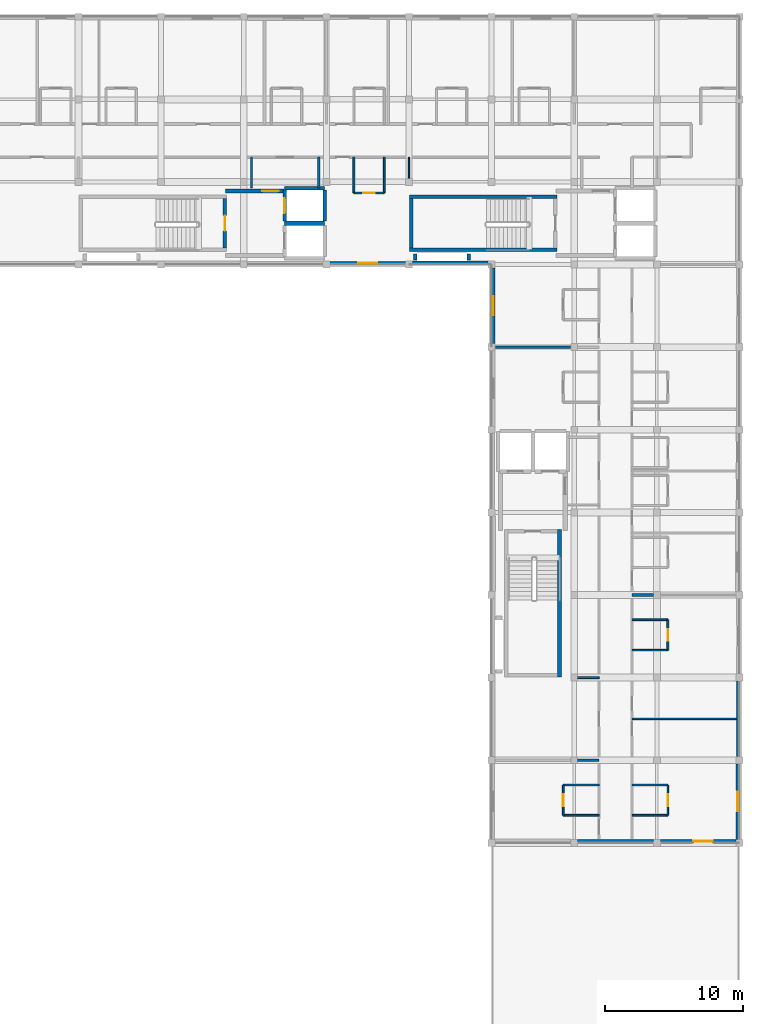
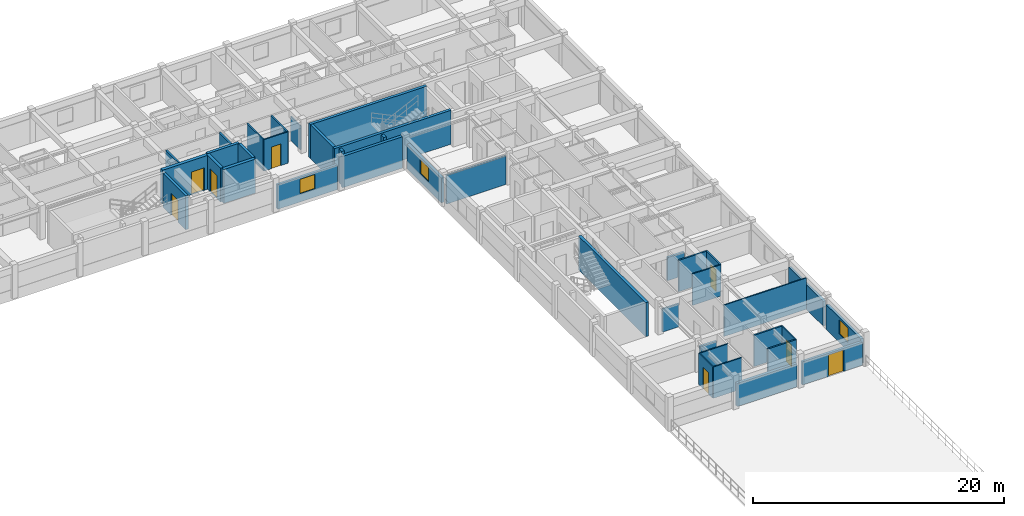
# One storey, part 4 of 14: 39 walls, 8 doors, 3 windows, 11 openings.
"""IFC4 building model written with IfcOpenShell, lengths in metres."""

from ifc_helpers import new_model, si_unit, direction, frame, frame_2d, origin, place, context, subcontext, project, spatial, rectangle, extrude, material, layer, layer_set, type_object, element, fill, save


model = new_model("IFC4")

# Units and contexts
model_context = context("Model", 3, precision=1e-05, world=origin(), true_north=direction((0.0, 1.0)))
body_context = subcontext(model_context, "Body", "Model", "MODEL_VIEW")
ifc_project = project(units=[si_unit("LENGTHUNIT", "METRE"), si_unit("AREAUNIT", "SQUARE_METRE"), si_unit("VOLUMEUNIT", "CUBIC_METRE"), si_unit("PLANEANGLEUNIT", "RADIAN"), si_unit("MASSUNIT", "GRAM", prefix="KILO"), si_unit("THERMODYNAMICTEMPERATUREUNIT", "KELVIN"), si_unit("POWERUNIT", "WATT")], contexts=[model_context])

# Site, building, storey
site_placement = place(None, origin())
site = spatial("IfcSite", under=ifc_project, at=site_placement, CompositionType="ELEMENT")
building_placement = place(site_placement, origin())
building = spatial("IfcBuilding", under=site, at=building_placement, Name="Phaisarnlok Congress Hotel", CompositionType="ELEMENT")
storey_placement = place(building_placement, frame((0.0, 0.0, 44.699951171875)))
storey = spatial("IfcBuildingStorey", under=building, at=storey_placement, Name="L11", CompositionType="ELEMENT", Elevation=44.699951171875)

# Wall, opening, window
ifc_material_1 = material(Name="Concrete C40/50", Category="concrete")
ifc_layer_1 = layer(ifc_material_1, 0.2099609375, Name="Concrete C40/50")
ifc_layer_set_1 = layer_set([ifc_layer_1], Name="Concrete C40/50")
wall_type_1 = type_object("IfcWallType", Name="WL-EXT-210", PredefinedType="SOLIDWALL", material=ifc_layer_set_1)
wall_1_placement = place(storey_placement, frame((150.2548828125, 108.10498046875, 0.0), z_axis=(0.0, 0.0, 1.0), x_axis=(1.0, 0.0, 0.0)))
wall_1 = element("IfcWall", 1, at=wall_1_placement, inside=storey, type_object=wall_type_1, Name="Exterior wall EW-07 (L11)", PredefinedType="SOLIDWALL", context=body_context, shape_type="SweptSolid", body=[
    extrude(rectangle(XDim=5.490234375, YDim=0.2099609375, at=frame_2d((2.7451171875, 0.0))), origin(), (0.0, 0.0, 1.0), 2.400146484375),
])
opening_1_placement = place(wall_1_placement, frame((2.044921875, 0.0, 0.800048828125)))
opening_1 = element("IfcOpeningElement", 2, at=opening_1_placement, cuts=wall_1, Name="Opening W-13", PredefinedType="OPENING", context=body_context, shape_type="SweptSolid", body=[
    extrude(rectangle(XDim=1.39990234375, YDim=1.39990234375, at=frame_2d((0.699951171875, 0.699951171875))), frame((0.0, 0.114990234375, 0.0), z_axis=(0.0, -1.0, 0.0), x_axis=(1.0, 0.0, 0.0)), (0.0, 0.0, 1.0), 0.22998046875),
])
ifc_material_2 = material(Name="Thermally Broken Aluminium & Low-E Double Glazing", Category="aluminium")
window_type = type_object("IfcWindowType", Name="WIN-POD-1400", PartitioningType="SINGLE_PANEL", PredefinedType="WINDOW", material=ifc_material_2)
window_1_placement = place(opening_1_placement, origin())
window_1 = element("IfcWindow", 3, at=window_1_placement, inside=storey, type_object=window_type, Name="Guestroom window W-13 (L11)", OverallHeight=1.39990234375, OverallWidth=1.39990234375, PartitioningType="SINGLE_PANEL", PredefinedType="WINDOW", context=body_context, shape_type="SweptSolid", body=[
    extrude(rectangle(XDim=1.39990234375, YDim=1.39990234375, at=frame_2d((0.699951171875, 0.699951171875))), frame((0.0, 0.030029296875, 0.0), z_axis=(0.0, -1.0, 0.0), x_axis=(1.0, 0.0, 0.0)), (0.0, 0.0, 1.0), 0.06005859375),
])
fill(opening_1, window_1)

# Wall
ifc_layer_2 = layer(ifc_material_1, 0.22998046875, Name="Concrete C40/50")
ifc_layer_set_2 = layer_set([ifc_layer_2], Name="Concrete C40/50")
wall_type_2 = type_object("IfcWallType", Name="WL-EXT-230", PredefinedType="SOLIDWALL", material=ifc_layer_set_2)
wall_2_placement = place(storey_placement, frame((179.885009765625, 72.2548828125, 0.0), z_axis=(0.0, 0.0, 1.0), x_axis=(0.0, 1.0, 0.0)))
element("IfcWall", 4, at=wall_2_placement, inside=storey, type_object=wall_type_2, Name="Exterior wall EW-06 (L11)", PredefinedType="SOLIDWALL", context=body_context, shape_type="SweptSolid", body=[
    extrude(rectangle(XDim=5.490234375, YDim=0.22998046875, at=frame_2d((2.7451171875, 0.0))), origin(), (0.0, 0.0, 1.0), 2.400146484375),
])

# Wall, opening, door
wall_3_placement = place(storey_placement, frame((174.2548828125, 66.114990234375, 0.0), z_axis=(0.0, 0.0, 1.0), x_axis=(1.0, 0.0, 0.0)))
wall_3 = element("IfcWall", 5, at=wall_3_placement, inside=storey, type_object=wall_type_2, Name="Exterior wall EW-06 (L11)", PredefinedType="SOLIDWALL", context=body_context, shape_type="SweptSolid", body=[
    extrude(rectangle(XDim=5.490234375, YDim=0.22998046875, at=frame_2d((2.7451171875, 0.0))), origin(), (0.0, 0.0, 1.0), 2.25),
])
opening_2_placement = place(wall_3_placement, frame((2.39501953125, 0.0, 0.0)))
opening_2 = element("IfcOpeningElement", 6, at=opening_2_placement, cuts=wall_3, Name="Opening TD-10", PredefinedType="OPENING", context=body_context, shape_type="SweptSolid", body=[
    extrude(rectangle(XDim=1.39990234375, YDim=2.10009765625, at=frame_2d((0.699951171875, 1.050048828125))), frame((0.0, 0.125, 0.0), z_axis=(0.0, -1.0, 0.0), x_axis=(1.0, 0.0, 0.0)), (0.0, 0.0, 1.0), 0.25),
])
ifc_material_3 = material(Name="Powder-Coated Steel & Laminated Safety Glass", Category="steel")
door_type_1 = type_object("IfcDoorType", Name="DR-TER-1400", OperationType="NOTDEFINED", PredefinedType="DOOR", material=ifc_material_3)
door_1_placement = place(opening_2_placement, frame((1.39990234375, 0.0, 0.0), z_axis=(0.0, 0.0, 1.0), x_axis=(-1.0, 0.0, 0.0)))
door_1 = element("IfcDoor", 7, at=door_1_placement, inside=storey, type_object=door_type_1, Name="Outdoor terrace door TD-10 (L11)", OperationType="SINGLE_SWING_LEFT", OverallHeight=2.10009765625, OverallWidth=1.39990234375, PredefinedType="DOOR", context=body_context, shape_type="SweptSolid", body=[
    extrude(rectangle(XDim=1.39990234375, YDim=2.10009765625, at=frame_2d((0.699951171875, 1.050048828125))), frame((0.0, 0.02490234375, 0.0), z_axis=(0.0, -1.0, 0.0), x_axis=(1.0, 0.0, 0.0)), (0.0, 0.0, 1.0), 0.050048828125),
])
fill(opening_2, door_1)

# Wall, opening, window
ifc_layer_3 = layer(ifc_material_1, 0.25, Name="Concrete C40/50")
ifc_layer_set_3 = layer_set([ifc_layer_3], Name="Concrete C40/50")
wall_type_3 = type_object("IfcWallType", Name="WL-EXT-250", PredefinedType="SOLIDWALL", material=ifc_layer_set_3)
wall_4_placement = place(storey_placement, frame((179.875, 66.2548828125, 0.0), z_axis=(0.0, 0.0, 1.0), x_axis=(0.0, 1.0, 0.0)))
wall_4 = element("IfcWall", 8, at=wall_4_placement, inside=storey, type_object=wall_type_3, Name="Exterior wall EW-05 (L11)", PredefinedType="SOLIDWALL", context=body_context, shape_type="SweptSolid", body=[
    extrude(rectangle(XDim=5.490234375, YDim=0.25, at=frame_2d((2.7451171875, 0.0))), origin(), (0.0, 0.0, 1.0), 2.400146484375),
])
opening_3_placement = place(wall_4_placement, frame((2.044921875, 0.0, 0.800048828125)))
opening_3 = element("IfcOpeningElement", 9, at=opening_3_placement, cuts=wall_4, Name="Opening W-13", PredefinedType="OPENING", context=body_context, shape_type="SweptSolid", body=[
    extrude(rectangle(XDim=1.39990234375, YDim=1.39990234375, at=frame_2d((0.699951171875, 0.699951171875))), frame((0.0, 0.135009765625, 0.0), z_axis=(0.0, -1.0, 0.0), x_axis=(1.0, 0.0, 0.0)), (0.0, 0.0, 1.0), 0.27001953125),
])
window_2_placement = place(opening_3_placement, origin())
window_2 = element("IfcWindow", 10, at=window_2_placement, inside=storey, type_object=window_type, Name="Guestroom window W-13 (L11)", OverallHeight=1.39990234375, OverallWidth=1.39990234375, PartitioningType="SINGLE_PANEL", PredefinedType="WINDOW", context=body_context, shape_type="SweptSolid", body=[
    extrude(rectangle(XDim=1.39990234375, YDim=1.39990234375, at=frame_2d((0.699951171875, 0.699951171875))), frame((0.0, 0.030029296875, 0.0), z_axis=(0.0, -1.0, 0.0), x_axis=(1.0, 0.0, 0.0)), (0.0, 0.0, 1.0), 0.06005859375),
])
fill(opening_3, window_2)

wall_5_placement = place(storey_placement, frame((162.125, 107.7451171875, 0.0), z_axis=(0.0, 0.0, 1.0), x_axis=(0.0, -1.0, 0.0)))
wall_5 = element("IfcWall", 11, at=wall_5_placement, inside=storey, type_object=wall_type_3, Name="Exterior wall EW-05 (L11)", PredefinedType="SOLIDWALL", context=body_context, shape_type="SweptSolid", body=[
    extrude(rectangle(XDim=5.490234375, YDim=0.25, at=frame_2d((2.7451171875, 0.0))), origin(), (0.0, 0.0, 1.0), 2.400146484375),
])
opening_4_placement = place(wall_5_placement, frame((2.044921875, 0.0, 0.800048828125)))
opening_4 = element("IfcOpeningElement", 12, at=opening_4_placement, cuts=wall_5, Name="Opening W-13", PredefinedType="OPENING", context=body_context, shape_type="SweptSolid", body=[
    extrude(rectangle(XDim=1.39990234375, YDim=1.39990234375, at=frame_2d((0.699951171875, 0.699951171875))), frame((0.0, 0.135009765625, 0.0), z_axis=(0.0, -1.0, 0.0), x_axis=(1.0, 0.0, 0.0)), (0.0, 0.0, 1.0), 0.27001953125),
])
window_3_placement = place(opening_4_placement, origin())
window_3 = element("IfcWindow", 13, at=window_3_placement, inside=storey, type_object=window_type, Name="Guestroom window W-13 (L11)", OverallHeight=1.39990234375, OverallWidth=1.39990234375, PartitioningType="SINGLE_PANEL", PredefinedType="WINDOW", context=body_context, shape_type="SweptSolid", body=[
    extrude(rectangle(XDim=1.39990234375, YDim=1.39990234375, at=frame_2d((0.699951171875, 0.699951171875))), frame((0.0, 0.030029296875, 0.0), z_axis=(0.0, -1.0, 0.0), x_axis=(1.0, 0.0, 0.0)), (0.0, 0.0, 1.0), 0.06005859375),
])
fill(opening_4, window_3)

# Walls
wall_6_placement = place(storey_placement, frame((168.2548828125, 66.125, 0.0), z_axis=(0.0, 0.0, 1.0), x_axis=(1.0, 0.0, 0.0)))
element("IfcWall", 14, at=wall_6_placement, inside=storey, type_object=wall_type_3, Name="Exterior wall EW-05 (L11)", PredefinedType="SOLIDWALL", context=body_context, shape_type="SweptSolid", body=[
    extrude(rectangle(XDim=5.490234375, YDim=0.25, at=frame_2d((2.7451171875, 0.0))), origin(), (0.0, 0.0, 1.0), 2.25),
])
ifc_layer_4 = layer(ifc_material_1, 0.27001953125, Name="Concrete C40/50")
ifc_layer_set_4 = layer_set([ifc_layer_4], Name="Concrete C40/50")
wall_type_4 = type_object("IfcWallType", Name="WL-EXT-270", PredefinedType="SOLIDWALL", material=ifc_layer_set_4)
wall_7_placement = place(storey_placement, frame((156.2548828125, 108.135009765625, 0.0), z_axis=(0.0, 0.0, 1.0), x_axis=(1.0, 0.0, 0.0)))
element("IfcWall", 15, at=wall_7_placement, inside=storey, type_object=wall_type_4, Name="Exterior wall EW-04 (L11)", PredefinedType="SOLIDWALL", context=body_context, shape_type="SweptSolid", body=[
    extrude(rectangle(XDim=5.490234375, YDim=0.27001953125, at=frame_2d((2.7451171875, 0.0))), origin(), (0.0, 0.0, 1.0), 3.050048828125),
])
ifc_material_4 = material(Name="Service Riser Shaftwall Partition", Category="gypsum")
ifc_layer_5 = layer(ifc_material_4, 0.10498046875, Name="Service Riser Shaftwall Partition")
ifc_layer_set_5 = layer_set([ifc_layer_5], Name="Service Riser Shaftwall Partition")
wall_type_5 = type_object("IfcWallType", Name="WL-INT-105", PredefinedType="PARTITIONING", material=ifc_layer_set_5)
wall_8_placement = place(storey_placement, frame((156.0, 114.2548828125, 0.0), z_axis=(0.0, 0.0, 1.0), x_axis=(0.0, 1.0, 0.0)))
element("IfcWall", 16, at=wall_8_placement, inside=storey, type_object=wall_type_5, Name="Interior partition wall IW-08 (L11)", PredefinedType="PARTITIONING", context=body_context, shape_type="SweptSolid", body=[
    extrude(rectangle(XDim=1.545166015625, YDim=0.10498046875, at=frame_2d((0.7724609375, 0.0))), origin(), (0.0, 0.0, 1.0), 2.35009765625),
])
wall_9_placement = place(storey_placement, frame((172.199951171875, 75.0, 0.0), z_axis=(0.0, 0.0, 1.0), x_axis=(1.0, 0.0, 0.0)))
element("IfcWall", 17, at=wall_9_placement, inside=storey, type_object=wall_type_5, Name="Interior partition wall IW-08 (L11)", PredefinedType="PARTITIONING", context=body_context, shape_type="SweptSolid", body=[
    extrude(rectangle(XDim=7.56494140625, YDim=0.10498046875, at=frame_2d((3.782470703125, 0.0))), origin(), (0.0, 0.0, 1.0), 3.050048828125),
])

# Wall, opening, door
ifc_material_5 = material(Name="Lightweight Metal-Stud Gypsum Partition", Category="gypsum")
ifc_layer_6 = layer(ifc_material_5, 0.1201171875, Name="Lightweight Metal-Stud Gypsum Partition")
ifc_layer_set_6 = layer_set([ifc_layer_6], Name="Lightweight Metal-Stud Gypsum Partition")
wall_type_6 = type_object("IfcWallType", Name="WL-INT-120", PredefinedType="PARTITIONING", material=ifc_layer_set_6)
wall_10_placement = place(storey_placement, frame((167.199951171875, 68.0, 0.0), z_axis=(0.0, 0.0, 1.0), x_axis=(0.0, 1.0, 0.0)))
wall_10 = element("IfcWall", 18, at=wall_10_placement, inside=storey, type_object=wall_type_6, Name="Interior partition wall IW-07 (L11)", PredefinedType="PARTITIONING", context=body_context, shape_type="SweptSolid", body=[
    extrude(rectangle(XDim=2.199951171875, YDim=0.1201171875, at=frame_2d((1.10009765625, 0.0))), origin(), (0.0, 0.0, 1.0), 3.050048828125),
])
opening_5_placement = place(wall_10_placement, frame((0.675048828125, 0.0, 0.0)))
opening_5 = element("IfcOpeningElement", 19, at=opening_5_placement, cuts=wall_10, Name="Opening D-0667", PredefinedType="OPENING", context=body_context, shape_type="SweptSolid", body=[
    extrude(rectangle(XDim=0.85009765625, YDim=2.10009765625, at=frame_2d((0.425048828125, 1.050048828125))), frame((0.0, 0.070068359375, 0.0), z_axis=(0.0, -1.0, 0.0), x_axis=(1.0, 0.0, 0.0)), (0.0, 0.0, 1.0), 0.14013671875),
])
ifc_material_6 = material(Name="Moisture-Resistant Lacquered Timber", Category="wood")
door_type_2 = type_object("IfcDoorType", Name="DR-BATH-850", OperationType="NOTDEFINED", PredefinedType="DOOR", material=ifc_material_6)
door_2_placement = place(opening_5_placement, origin())
door_2 = element("IfcDoor", 20, at=door_2_placement, inside=storey, type_object=door_type_2, Name="Interior door D-0667 (L11)", OperationType="SINGLE_SWING_LEFT", OverallHeight=2.10009765625, OverallWidth=0.85009765625, PredefinedType="DOOR", context=body_context, shape_type="SweptSolid", body=[
    extrude(rectangle(XDim=0.85009765625, YDim=2.10009765625, at=frame_2d((0.425048828125, 1.050048828125))), frame((0.0, 0.02490234375, 0.0), z_axis=(0.0, -1.0, 0.0), x_axis=(1.0, 0.0, 0.0)), (0.0, 0.0, 1.0), 0.050048828125),
])
fill(opening_5, door_2)

wall_11_placement = place(storey_placement, frame((174.800048828125, 68.0, 0.0), z_axis=(0.0, 0.0, 1.0), x_axis=(0.0, 1.0, 0.0)))
wall_11 = element("IfcWall", 21, at=wall_11_placement, inside=storey, type_object=wall_type_6, Name="Interior partition wall IW-07 (L11)", PredefinedType="PARTITIONING", context=body_context, shape_type="SweptSolid", body=[
    extrude(rectangle(XDim=2.199951171875, YDim=0.1201171875, at=frame_2d((1.10009765625, 0.0))), origin(), (0.0, 0.0, 1.0), 3.050048828125),
])
opening_6_placement = place(wall_11_placement, frame((0.675048828125, 0.0, 0.0)))
opening_6 = element("IfcOpeningElement", 22, at=opening_6_placement, cuts=wall_11, Name="Opening D-0654", PredefinedType="OPENING", context=body_context, shape_type="SweptSolid", body=[
    extrude(rectangle(XDim=0.85009765625, YDim=2.10009765625, at=frame_2d((0.425048828125, 1.050048828125))), frame((0.0, 0.070068359375, 0.0), z_axis=(0.0, -1.0, 0.0), x_axis=(1.0, 0.0, 0.0)), (0.0, 0.0, 1.0), 0.14013671875),
])
door_3_placement = place(opening_6_placement, origin())
door_3 = element("IfcDoor", 23, at=door_3_placement, inside=storey, type_object=door_type_2, Name="Interior door D-0654 (L11)", OperationType="SINGLE_SWING_RIGHT", OverallHeight=2.10009765625, OverallWidth=0.85009765625, PredefinedType="DOOR", context=body_context, shape_type="SweptSolid", body=[
    extrude(rectangle(XDim=0.85009765625, YDim=2.10009765625, at=frame_2d((0.425048828125, 1.050048828125))), frame((0.0, 0.02490234375, 0.0), z_axis=(0.0, -1.0, 0.0), x_axis=(1.0, 0.0, 0.0)), (0.0, 0.0, 1.0), 0.050048828125),
])
fill(opening_6, door_3)

# Walls
for number, where, z_axis, x_axis, name in (
    (24, (167.199951171875, 68.0, 0.0), (0.0, 0.0, 1.0), (1.0, 0.0, 0.0), "Interior partition wall IW-07 (L11)"),
    (25, (167.199951171875, 70.199951171875, 0.0), (0.0, 0.0, 1.0), (1.0, 0.0, 0.0), "Interior partition wall IW-07 (L11)"),
    (26, (172.199951171875, 80.0, 0.0), (0.0, 0.0, 1.0), (1.0, 0.0, 0.0), "Interior partition wall IW-07 (L11)"),
):
    element("IfcWall", number, at=place(storey_placement, frame(where, z_axis=z_axis, x_axis=x_axis)), inside=storey, type_object=wall_type_6, Name=name, PredefinedType="PARTITIONING", context=body_context, shape_type="SweptSolid", body=[
        extrude(rectangle(XDim=2.60009765625, YDim=0.1201171875, at=frame_2d((1.300048828125, 0.0))), origin(), (0.0, 0.0, 1.0), 3.050048828125),
    ])

# Wall, opening, door
wall_12_placement = place(storey_placement, frame((152.0, 113.199951171875, 0.0), z_axis=(0.0, 0.0, 1.0), x_axis=(1.0, 0.0, 0.0)))
wall_12 = element("IfcWall", 27, at=wall_12_placement, inside=storey, type_object=wall_type_6, Name="Interior partition wall IW-07 (L11)", PredefinedType="PARTITIONING", context=body_context, shape_type="SweptSolid", body=[
    extrude(rectangle(XDim=2.199951171875, YDim=0.1201171875, at=frame_2d((1.10009765625, 0.0))), origin(), (0.0, 0.0, 1.0), 3.050048828125),
])
opening_7_placement = place(wall_12_placement, frame((0.675048828125, 0.0, 0.0)))
opening_7 = element("IfcOpeningElement", 28, at=opening_7_placement, cuts=wall_12, Name="Opening D-0652", PredefinedType="OPENING", context=body_context, shape_type="SweptSolid", body=[
    extrude(rectangle(XDim=0.85009765625, YDim=2.10009765625, at=frame_2d((0.425048828125, 1.050048828125))), frame((0.0, 0.070068359375, 0.0), z_axis=(0.0, -1.0, 0.0), x_axis=(1.0, 0.0, 0.0)), (0.0, 0.0, 1.0), 0.14013671875),
])
door_4_placement = place(opening_7_placement, origin())
door_4 = element("IfcDoor", 29, at=door_4_placement, inside=storey, type_object=door_type_2, Name="Interior door D-0652 (L11)", OperationType="SINGLE_SWING_RIGHT", OverallHeight=2.10009765625, OverallWidth=0.85009765625, PredefinedType="DOOR", context=body_context, shape_type="SweptSolid", body=[
    extrude(rectangle(XDim=0.85009765625, YDim=2.10009765625, at=frame_2d((0.425048828125, 1.050048828125))), frame((0.0, 0.02490234375, 0.0), z_axis=(0.0, -1.0, 0.0), x_axis=(1.0, 0.0, 0.0)), (0.0, 0.0, 1.0), 0.050048828125),
])
fill(opening_7, door_4)

# Walls
ifc_material_7 = material(Name="Moisture-Resistant Gypsum Partition", Category="gypsum")
ifc_layer_7 = layer(ifc_material_7, 0.135009765625, Name="Moisture-Resistant Gypsum Partition")
ifc_layer_set_7 = layer_set([ifc_layer_7], Name="Moisture-Resistant Gypsum Partition")
wall_type_7 = type_object("IfcWallType", Name="WL-INT-135", PredefinedType="PARTITIONING", material=ifc_layer_set_7)
for number, where, z_axis, x_axis, name in (
    (30, (152.0, 113.199951171875, 0.0), (0.0, 0.0, 1.0), (0.0, 1.0, 0.0), "Interior partition wall IW-06 (L11)"),
    (31, (154.199951171875, 113.199951171875, 0.0), (0.0, 0.0, 1.0), (0.0, 1.0, 0.0), "Interior partition wall IW-06 (L11)"),
):
    element("IfcWall", number, at=place(storey_placement, frame(where, z_axis=z_axis, x_axis=x_axis)), inside=storey, type_object=wall_type_7, Name=name, PredefinedType="PARTITIONING", context=body_context, shape_type="SweptSolid", body=[
        extrude(rectangle(XDim=2.60009765625, YDim=0.135009765625, at=frame_2d((1.300048828125, 0.0))), origin(), (0.0, 0.0, 1.0), 3.050048828125),
    ])

# Wall, opening, door
wall_13_placement = place(storey_placement, frame((174.800048828125, 80.0, 0.0), z_axis=(0.0, 0.0, 1.0), x_axis=(0.0, 1.0, 0.0)))
wall_13 = element("IfcWall", 32, at=wall_13_placement, inside=storey, type_object=wall_type_7, Name="Interior partition wall IW-06 (L11)", PredefinedType="PARTITIONING", context=body_context, shape_type="SweptSolid", body=[
    extrude(rectangle(XDim=2.199951171875, YDim=0.135009765625, at=frame_2d((1.10009765625, 0.0))), origin(), (0.0, 0.0, 1.0), 3.050048828125),
])
opening_8_placement = place(wall_13_placement, frame((0.675048828125, 0.0, 0.0)))
opening_8 = element("IfcOpeningElement", 33, at=opening_8_placement, cuts=wall_13, Name="Opening D-0656", PredefinedType="OPENING", context=body_context, shape_type="SweptSolid", body=[
    extrude(rectangle(XDim=0.85009765625, YDim=2.10009765625, at=frame_2d((0.425048828125, 1.050048828125))), frame((0.0, 0.07763671875, 0.0), z_axis=(0.0, -1.0, 0.0), x_axis=(1.0, 0.0, 0.0)), (0.0, 0.0, 1.0), 0.155029296875),
])
door_5_placement = place(opening_8_placement, origin())
door_5 = element("IfcDoor", 34, at=door_5_placement, inside=storey, type_object=door_type_2, Name="Interior door D-0656 (L11)", OperationType="SINGLE_SWING_RIGHT", OverallHeight=2.10009765625, OverallWidth=0.85009765625, PredefinedType="DOOR", context=body_context, shape_type="SweptSolid", body=[
    extrude(rectangle(XDim=0.85009765625, YDim=2.10009765625, at=frame_2d((0.425048828125, 1.050048828125))), frame((0.0, 0.02490234375, 0.0), z_axis=(0.0, -1.0, 0.0), x_axis=(1.0, 0.0, 0.0)), (0.0, 0.0, 1.0), 0.050048828125),
])
fill(opening_8, door_5)

# Walls
for number, where, z_axis, x_axis, name in (
    (35, (172.199951171875, 68.0, 0.0), (0.0, 0.0, 1.0), (1.0, 0.0, 0.0), "Interior partition wall IW-06 (L11)"),
    (36, (172.199951171875, 70.199951171875, 0.0), (0.0, 0.0, 1.0), (1.0, 0.0, 0.0), "Interior partition wall IW-06 (L11)"),
):
    element("IfcWall", number, at=place(storey_placement, frame(where, z_axis=z_axis, x_axis=x_axis)), inside=storey, type_object=wall_type_7, Name=name, PredefinedType="PARTITIONING", context=body_context, shape_type="SweptSolid", body=[
        extrude(rectangle(XDim=2.60009765625, YDim=0.135009765625, at=frame_2d((1.300048828125, 0.0))), origin(), (0.0, 0.0, 1.0), 3.050048828125),
    ])
wall_14_placement = place(storey_placement, frame((168.2548828125, 78.0, 0.0), z_axis=(0.0, 0.0, 1.0), x_axis=(1.0, 0.0, 0.0)))
element("IfcWall", 37, at=wall_14_placement, inside=storey, type_object=wall_type_7, Name="Interior partition wall IW-06 (L11)", PredefinedType="PARTITIONING", context=body_context, shape_type="SweptSolid", body=[
    extrude(rectangle(XDim=1.545166015625, YDim=0.135009765625, at=frame_2d((0.7724609375, 0.0))), origin(), (0.0, 0.0, 1.0), 2.25),
])
wall_15_placement = place(storey_placement, frame((172.199951171875, 82.199951171875, 0.0), z_axis=(0.0, 0.0, 1.0), x_axis=(1.0, 0.0, 0.0)))
element("IfcWall", 38, at=wall_15_placement, inside=storey, type_object=wall_type_7, Name="Interior partition wall IW-06 (L11)", PredefinedType="PARTITIONING", context=body_context, shape_type="SweptSolid", body=[
    extrude(rectangle(XDim=2.60009765625, YDim=0.135009765625, at=frame_2d((1.300048828125, 0.0))), origin(), (0.0, 0.0, 1.0), 3.050048828125),
])
ifc_material_8 = material(Name="Acoustic Gypsum Board & Mineral Wool", Category="gypsum")
ifc_layer_8 = layer(ifc_material_8, 0.14990234375, Name="Acoustic Gypsum Board & Mineral Wool")
ifc_layer_set_8 = layer_set([ifc_layer_8], Name="Acoustic Gypsum Board & Mineral Wool")
wall_type_8 = type_object("IfcWallType", Name="WL-INT-150", PredefinedType="PARTITIONING", material=ifc_layer_set_8)
wall_16_placement = place(storey_placement, frame((144.550048828125, 113.56005859375, 0.0), z_axis=(0.0, 0.0, 1.0), x_axis=(0.0, 1.0, 0.0)))
element("IfcWall", 39, at=wall_16_placement, inside=storey, type_object=wall_type_8, Name="Interior partition wall IW-05 (L11)", PredefinedType="PARTITIONING", context=body_context, shape_type="SweptSolid", body=[
    extrude(rectangle(XDim=2.239990234375, YDim=0.14990234375, at=frame_2d((1.1201171875, 0.0))), origin(), (0.0, 0.0, 1.0), 3.050048828125),
])
ifc_material_9 = material(Name="Double-Stud Acoustic Gypsum Partition", Category="gypsum")
ifc_layer_9 = layer(ifc_material_9, 0.159912109375, Name="Double-Stud Acoustic Gypsum Partition")
ifc_layer_set_9 = layer_set([ifc_layer_9], Name="Double-Stud Acoustic Gypsum Partition")
wall_type_9 = type_object("IfcWallType", Name="WL-INT-160", PredefinedType="PARTITIONING", material=ifc_layer_set_9)
wall_17_placement = place(storey_placement, frame((149.449951171875, 113.56005859375, 0.0), z_axis=(0.0, 0.0, 1.0), x_axis=(0.0, 1.0, 0.0)))
element("IfcWall", 40, at=wall_17_placement, inside=storey, type_object=wall_type_9, Name="Interior partition wall IW-04 (L11)", PredefinedType="PARTITIONING", context=body_context, shape_type="SweptSolid", body=[
    extrude(rectangle(XDim=2.239990234375, YDim=0.159912109375, at=frame_2d((1.1201171875, 0.0))), origin(), (0.0, 0.0, 1.0), 3.050048828125),
])
ifc_material_10 = material(Name="Autoclaved Aerated Concrete Block", Category="concrete")
ifc_layer_10 = layer(ifc_material_10, 0.179931640625, Name="Autoclaved Aerated Concrete Block")
ifc_layer_set_10 = layer_set([ifc_layer_10], Name="Autoclaved Aerated Concrete Block")
wall_type_10 = type_object("IfcWallType", Name="WL-INT-180", PredefinedType="PARTITIONING", material=ifc_layer_set_10)
wall_18_placement = place(storey_placement, frame((162.280029296875, 102.0, 0.0), z_axis=(0.0, 0.0, 1.0), x_axis=(1.0, 0.0, 0.0)))
element("IfcWall", 41, at=wall_18_placement, inside=storey, type_object=wall_type_10, Name="Interior partition wall IW-03 (L11)", PredefinedType="PARTITIONING", context=body_context, shape_type="SweptSolid", body=[
    extrude(rectangle(XDim=5.465087890625, YDim=0.179931640625, at=frame_2d((2.732421875, 0.0))), origin(), (0.0, 0.0, 1.0), 2.760009765625),
])
ifc_layer_11 = layer(ifc_material_10, 0.199951171875, Name="Autoclaved Aerated Concrete Block")
ifc_layer_set_11 = layer_set([ifc_layer_11], Name="Autoclaved Aerated Concrete Block")
wall_type_11 = type_object("IfcWallType", Name="WL-INT-200", PredefinedType="PARTITIONING", material=ifc_layer_set_11)
for number, where, z_axis, x_axis, name in (
    (42, (168.2548828125, 72.0, 0.0), (0.0, 0.0, 1.0), (1.0, 0.0, 0.0), "Interior partition wall IW-02 (L11)"),
    (43, (172.199951171875, 84.0, 0.0), (0.0, 0.0, 1.0), (1.0, 0.0, 0.0), "Interior partition wall IW-02 (L11)"),
):
    element("IfcWall", number, at=place(storey_placement, frame(where, z_axis=z_axis, x_axis=x_axis)), inside=storey, type_object=wall_type_11, Name=name, PredefinedType="PARTITIONING", context=body_context, shape_type="SweptSolid", body=[
        extrude(rectangle(XDim=1.545166015625, YDim=0.199951171875, at=frame_2d((0.7724609375, 0.0))), origin(), (0.0, 0.0, 1.0), 2.25),
    ])
ifc_material_11 = material(Name="Concrete C50/60", Category="concrete")
ifc_layer_12 = layer(ifc_material_11, 0.260009765625, Name="Concrete C50/60")
ifc_layer_set_12 = layer_set([ifc_layer_12], Name="Concrete C50/60")
wall_type_12 = type_object("IfcWallType", Name="WL-SHR-260", PredefinedType="SHEAR", material=ifc_layer_set_12)
for number, where, z_axis, x_axis, name in (
    (44, (156.0400390625, 109.070068359375, 0.0), (0.0, 0.0, 1.0), (1.0, 0.0, 0.0), "Stair shaft shear wall SW-04 (CORE-1 L11)"),
    (45, (156.0400390625, 112.929931640625, 0.0), (0.0, 0.0, 1.0), (1.0, 0.0, 0.0), "Stair shaft shear wall SW-04 (CORE-1 L11)"),
):
    element("IfcWall", number, at=place(storey_placement, frame(where, z_axis=z_axis, x_axis=x_axis)), inside=storey, type_object=wall_type_12, Name=name, PredefinedType="SHEAR", context=body_context, shape_type="SweptSolid", body=[
        extrude(rectangle(XDim=10.719970703125, YDim=0.260009765625, at=frame_2d((5.35986328125, 0.0))), origin(), (0.0, 0.0, 1.0), 3.300048828125),
    ])
wall_19_placement = place(storey_placement, frame((156.169921875, 109.199951171875, 0.0), z_axis=(0.0, 0.0, 1.0), x_axis=(0.0, 1.0, 0.0)))
element("IfcWall", 46, at=wall_19_placement, inside=storey, type_object=wall_type_12, Name="Stair shaft shear wall SW-04 (CORE-1 L11)", PredefinedType="SHEAR", context=body_context, shape_type="SweptSolid", body=[
    extrude(rectangle(XDim=3.60009765625, YDim=0.260009765625, at=frame_2d((1.800048828125, 0.0))), origin(), (0.0, 0.0, 1.0), 3.300048828125),
])
for number, where, z_axis, x_axis, name in (
    (47, (156.469970703125, 108.330078125, 0.0), (0.0, 0.0, 1.0), (0.0, 1.0, 0.0), "Service riser shaft wall SW-04 (CORE-1 L11)"),
    (48, (160.330078125, 108.330078125, 0.0), (0.0, 0.0, 1.0), (0.0, 1.0, 0.0), "Service riser shaft wall SW-04 (CORE-1 L11)"),
):
    element("IfcWall", number, at=place(storey_placement, frame(where, z_axis=z_axis, x_axis=x_axis)), inside=storey, type_object=wall_type_12, Name=name, PredefinedType="SHEAR", context=body_context, shape_type="SweptSolid", body=[
        extrude(rectangle(XDim=0.43994140625, YDim=0.260009765625, at=frame_2d((0.219970703125, 0.0))), origin(), (0.0, 0.0, 1.0), 3.300048828125),
    ])

# Wall, opening, door
wall_20_placement = place(storey_placement, frame((142.6298828125, 109.199951171875, 0.0), z_axis=(0.0, 0.0, 1.0), x_axis=(0.0, 1.0, 0.0)))
wall_20 = element("IfcWall", 49, at=wall_20_placement, inside=storey, type_object=wall_type_12, Name="Stair shaft shear wall SW-04 (CORE-2 L11)", PredefinedType="SHEAR", context=body_context, shape_type="SweptSolid", body=[
    extrude(rectangle(XDim=3.60009765625, YDim=0.260009765625, at=frame_2d((1.800048828125, 0.0))), origin(), (0.0, 0.0, 1.0), 3.300048828125),
])
opening_9_placement = place(wall_20_placement, frame((1.25, 0.0, 0.0)))
opening_9 = element("IfcOpeningElement", 50, at=opening_9_placement, cuts=wall_20, Name="Opening FD-043", PredefinedType="OPENING", context=body_context, shape_type="SweptSolid", body=[
    extrude(rectangle(XDim=1.10009765625, YDim=2.14990234375, at=frame_2d((0.550048828125, 1.074951171875))), frame((0.0, 0.14013671875, 0.0), z_axis=(0.0, -1.0, 0.0), x_axis=(1.0, 0.0, 0.0)), (0.0, 0.0, 1.0), 0.280029296875),
])
ifc_material_12 = material(Name="Fire-Rated Steel Frame & Timber Leaf", Category="steel")
door_type_3 = type_object("IfcDoorType", Name="DR-FD60-1100", OperationType="NOTDEFINED", PredefinedType="DOOR", material=ifc_material_12)
door_6_placement = place(opening_9_placement, origin())
door_6 = element("IfcDoor", 51, at=door_6_placement, inside=storey, type_object=door_type_3, Name="Stair enclosure fire door FD-043 (L11)", OperationType="SINGLE_SWING_RIGHT", OverallHeight=2.14990234375, OverallWidth=1.10009765625, PredefinedType="DOOR", context=body_context, shape_type="SweptSolid", body=[
    extrude(rectangle(XDim=1.10009765625, YDim=2.14990234375, at=frame_2d((0.550048828125, 1.074951171875))), frame((0.0, 0.02490234375, 0.0), z_axis=(0.0, -1.0, 0.0), x_axis=(1.0, 0.0, 0.0)), (0.0, 0.0, 1.0), 0.050048828125),
])
fill(opening_9, door_6)

# Walls
wall_21_placement = place(storey_placement, frame((146.969970703125, 113.530029296875, 0.0), z_axis=(0.0, 0.0, 1.0), x_axis=(1.0, 0.0, 0.0)))
element("IfcWall", 52, at=wall_21_placement, inside=storey, type_object=wall_type_12, Name="Lift shaft shear wall SW-04 (LF-HP2 L11)", PredefinedType="SHEAR", context=body_context, shape_type="SweptSolid", body=[
    extrude(rectangle(XDim=2.909912109375, YDim=0.260009765625, at=frame_2d((1.455078125, 0.0))), origin(), (0.0, 0.0, 1.0), 3.300048828125),
])
wall_22_placement = place(storey_placement, frame((149.8798828125, 111.14990234375, 0.0), z_axis=(0.0, 0.0, 1.0), x_axis=(0.0, 1.0, 0.0)))
element("IfcWall", 53, at=wall_22_placement, inside=storey, type_object=wall_type_12, Name="Lift shaft shear wall SW-04 (LF-HP2 L11)", PredefinedType="SHEAR", context=body_context, shape_type="SweptSolid", body=[
    extrude(rectangle(XDim=2.25, YDim=0.260009765625, at=frame_2d((1.125, 0.0))), origin(), (0.0, 0.0, 1.0), 3.300048828125),
])

# Wall, opening, door
wall_23_placement = place(storey_placement, frame((146.969970703125, 111.14990234375, 0.0), z_axis=(0.0, 0.0, 1.0), x_axis=(0.0, 1.0, 0.0)))
wall_23 = element("IfcWall", 54, at=wall_23_placement, inside=storey, type_object=wall_type_12, Name="Lift shaft front wall SW-04 (LF-HP2 L11)", PredefinedType="SHEAR", context=body_context, shape_type="SweptSolid", body=[
    extrude(rectangle(XDim=2.25, YDim=0.260009765625, at=frame_2d((1.125, 0.0))), origin(), (0.0, 0.0, 1.0), 3.300048828125),
])
opening_10_placement = place(wall_23_placement, frame((0.574951171875, 0.0, 0.0)))
opening_10 = element("IfcOpeningElement", 55, at=opening_10_placement, cuts=wall_23, Name="Opening LD-058", PredefinedType="OPENING", context=body_context, shape_type="SweptSolid", body=[
    extrude(rectangle(XDim=1.10009765625, YDim=2.199951171875, at=frame_2d((0.550048828125, 1.10009765625))), frame((0.0, 0.14013671875, 0.0), z_axis=(0.0, -1.0, 0.0), x_axis=(1.0, 0.0, 0.0)), (0.0, 0.0, 1.0), 0.280029296875),
])
ifc_material_13 = material(Name="Brushed Stainless Steel Grade 304", Category="steel")
door_type_4 = type_object("IfcDoorType", Name="DR-LD-1100", OperationType="DOUBLE_DOOR_SLIDING", PredefinedType="DOOR", material=ifc_material_13)
door_7_placement = place(opening_10_placement, origin())
door_7 = element("IfcDoor", 56, at=door_7_placement, inside=storey, type_object=door_type_4, Name="Lift landing sliding door LD-058 (LF-HP2 L11)", OperationType="DOUBLE_DOOR_SLIDING", OverallHeight=2.199951171875, OverallWidth=1.10009765625, PredefinedType="DOOR", context=body_context, shape_type="SweptSolid", body=[
    extrude(rectangle(XDim=1.10009765625, YDim=2.199951171875, at=frame_2d((0.550048828125, 1.10009765625))), frame((0.0, 0.02490234375, 0.0), z_axis=(0.0, -1.0, 0.0), x_axis=(1.0, 0.0, 0.0)), (0.0, 0.0, 1.0), 0.050048828125),
])
fill(opening_10, door_7)

# Walls
wall_24_placement = place(storey_placement, frame((166.929931640625, 78.0400390625, 0.0), z_axis=(0.0, 0.0, 1.0), x_axis=(0.0, 1.0, 0.0)))
element("IfcWall", 57, at=wall_24_placement, inside=storey, type_object=wall_type_12, Name="Stair shaft shear wall SW-04 (CORE-3 L11)", PredefinedType="SHEAR", context=body_context, shape_type="SweptSolid", body=[
    extrude(rectangle(XDim=10.719970703125, YDim=0.260009765625, at=frame_2d((5.35986328125, 0.0))), origin(), (0.0, 0.0, 1.0), 3.300048828125),
])
ifc_layer_13 = layer(ifc_material_11, 0.300048828125, Name="Concrete C50/60")
ifc_layer_set_13 = layer_set([ifc_layer_13], Name="Concrete C50/60")
wall_type_13 = type_object("IfcWallType", Name="WL-SHR-300", PredefinedType="SHEAR", material=ifc_layer_set_13)
wall_25_placement = place(storey_placement, frame((146.969970703125, 111.0, 0.0), z_axis=(0.0, 0.0, 1.0), x_axis=(1.0, 0.0, 0.0)))
element("IfcWall", 58, at=wall_25_placement, inside=storey, type_object=wall_type_13, Name="Lift shaft divider shear wall SW-03 (LF-FF2 L11)", PredefinedType="SHEAR", context=body_context, shape_type="SweptSolid", body=[
    extrude(rectangle(XDim=2.909912109375, YDim=0.300048828125, at=frame_2d((1.455078125, 0.0))), origin(), (0.0, 0.0, 1.0), 3.300048828125),
])

# Wall, opening, door
wall_26_placement = place(storey_placement, frame((142.679931640625, 113.35009765625, 0.0), z_axis=(0.0, 0.0, 1.0), x_axis=(1.0, 0.0, 0.0)))
wall_26 = element("IfcWall", 59, at=wall_26_placement, inside=storey, type_object=wall_type_13, Name="Core lobby EI-120 wall SW-03 (CORE-2 L11)", PredefinedType="SHEAR", context=body_context, shape_type="SweptSolid", body=[
    extrude(rectangle(XDim=4.239990234375, YDim=0.300048828125, at=frame_2d((2.1201171875, 0.0))), origin(), (0.0, 0.0, 1.0), 3.300048828125),
])
opening_11_placement = place(wall_26_placement, frame((2.64990234375, 0.0, 0.0)))
opening_11 = element("IfcOpeningElement", 60, at=opening_11_placement, cuts=wall_26, Name="Opening FD-058", PredefinedType="OPENING", context=body_context, shape_type="SweptSolid", body=[
    extrude(rectangle(XDim=1.199951171875, YDim=2.199951171875, at=frame_2d((0.60009765625, 1.10009765625))), frame((0.0, 0.16015625, 0.0), z_axis=(0.0, -1.0, 0.0), x_axis=(1.0, 0.0, 0.0)), (0.0, 0.0, 1.0), 0.320068359375),
])
door_type_5 = type_object("IfcDoorType", Name="DR-FD60-1200", OperationType="NOTDEFINED", PredefinedType="DOOR", material=ifc_material_12)
door_8_placement = place(opening_11_placement, origin())
door_8 = element("IfcDoor", 61, at=door_8_placement, inside=storey, type_object=door_type_5, Name="Firefighting lobby entrance door FD-058 (CORE-2 L11)", OperationType="SINGLE_SWING_LEFT", OverallHeight=2.199951171875, OverallWidth=1.199951171875, PredefinedType="DOOR", context=body_context, shape_type="SweptSolid", body=[
    extrude(rectangle(XDim=1.199951171875, YDim=2.199951171875, at=frame_2d((0.60009765625, 1.10009765625))), frame((0.0, 0.02490234375, 0.0), z_axis=(0.0, -1.0, 0.0), x_axis=(1.0, 0.0, 0.0)), (0.0, 0.0, 1.0), 0.050048828125),
])
fill(opening_11, door_8)

save(model, "model.ifc")
